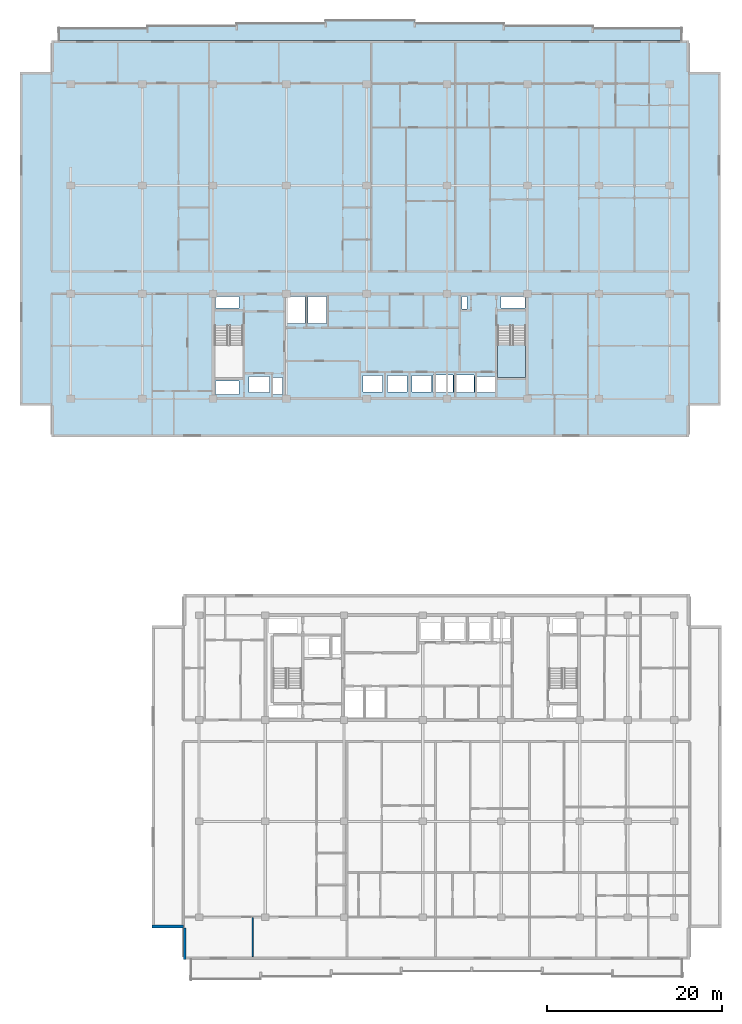
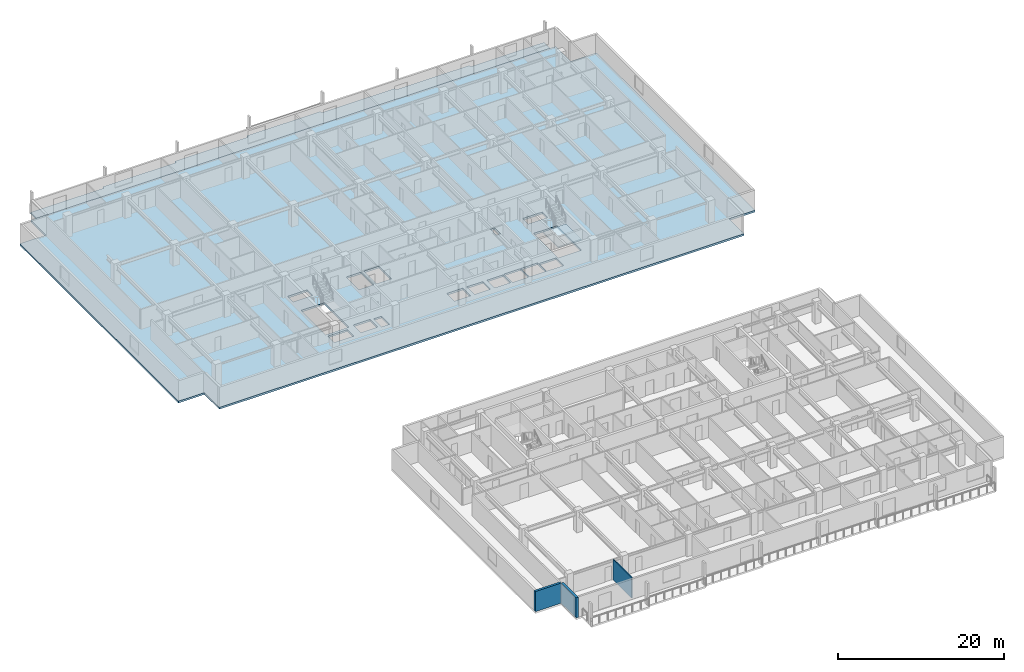
# One storey, part 3 of 21: 3 slabs, 3 walls, 1 element without a shape of its own.
"""IFC4 building model written with IfcOpenShell, lengths in metres."""

from ifc_helpers import new_model, si_unit, direction, frame, frame_2d, origin, place, context, subcontext, project, spatial, polyline, rectangle, outline, extrude, material, layer, layer_set, type_object, element, aggregate, save


model = new_model("IFC4")

# Units and contexts
model_context = context("Model", 3, precision=1e-05, world=origin(), true_north=direction((0.0, 1.0)))
body_context = subcontext(model_context, "Body", "Model", "MODEL_VIEW")
ifc_project = project(units=[si_unit("LENGTHUNIT", "METRE"), si_unit("AREAUNIT", "SQUARE_METRE"), si_unit("VOLUMEUNIT", "CUBIC_METRE"), si_unit("PLANEANGLEUNIT", "RADIAN"), si_unit("MASSUNIT", "GRAM", prefix="KILO")], contexts=[model_context])

# Site, building, storey
site_placement = place(None, origin())
site = spatial("IfcSite", under=ifc_project, at=site_placement, CompositionType="ELEMENT")
building_placement = place(site_placement, origin())
building = spatial("IfcBuilding", under=site, at=building_placement, Name="Korimba Cascade Residences", CompositionType="ELEMENT")
storey_placement = place(building_placement, frame((0.0, 0.0, 103.550048828125)))
storey = spatial("IfcBuildingStorey", under=building, at=storey_placement, Name="L29", CompositionType="ELEMENT", Elevation=103.550048828125)

# Stair, slab
ifc_material_1 = material(Name="Concrete C50/60", Category="concrete")
stair_type = type_object("IfcStairType", Name="STR-W2-18R-1806", PredefinedType="HALF_TURN_STAIR", material=ifc_material_1)
stair_placement = place(storey_placement, origin())
stair = element("IfcStair", 1, at=stair_placement, inside=storey, type_object=stair_type, Name="L29 Tower 1 East Fire Stair ST-W2", PredefinedType="HALF_TURN_STAIR")
ifc_layer_1 = layer(ifc_material_1, 0.199951171875)
ifc_layer_set_1 = layer_set([ifc_layer_1], Name="Concrete C50/60")
slab_type_1 = type_object("IfcSlabType", Name="SLB-LND-220", PredefinedType="LANDING", material=ifc_layer_set_1)
slab_1_placement = place(storey_placement, frame((0.0, 0.0, 1.425048828125)))
slab_1 = element("IfcSlab", 2, at=slab_1_placement, type_object=slab_type_1, Name="ST-W2 landing 1", PredefinedType="LANDING", context=body_context, shape_type="SweptSolid", body=[
    extrude(outline(polyline([(108.659912109375, 61.31005859375), (108.659912109375, 57.60009765625), (111.89990234375, 57.60009765625), (111.89990234375, 61.31005859375), (108.659912109375, 61.31005859375)])), origin(), (0.0, 0.0, 1.0), 0.199951171875),
])
aggregate(stair, [slab_1])

# Slabs
ifc_material_2 = material(Name="Precast concrete C40/50", Category="concrete")
ifc_layer_2 = layer(ifc_material_2, 0.239990234375)
ifc_layer_set_2 = layer_set([ifc_layer_2], Name="Precast concrete C40/50")
slab_type_2 = type_object("IfcSlabType", Name="SLB-LOG-240", PredefinedType="FLOOR", material=ifc_layer_set_2)
slab_2_placement = place(storey_placement, frame((0.0, 0.0, -0.239990234375)))
element("IfcSlab", 3, at=slab_2_placement, inside=storey, type_object=slab_type_2, Name="L29 Tower 1 North Loggia Slab", PredefinedType="FLOOR", context=body_context, shape_type="SweptSolid", body=[
    extrude(outline(polyline([(58.39990234375, 96.199951171875), (129.800048828125, 96.199951171875), (129.800048828125, 97.64990234375), (119.60009765625, 97.64990234375), (119.60009765625, 97.949951171875), (109.39990234375, 97.949951171875), (109.39990234375, 98.25), (99.199951171875, 98.25), (99.199951171875, 98.550048828125), (89.0, 98.550048828125), (89.0, 98.25), (78.800048828125, 98.25), (78.800048828125, 97.949951171875), (68.60009765625, 97.949951171875), (68.60009765625, 97.64990234375), (58.39990234375, 97.64990234375), (58.39990234375, 96.199951171875)])), origin(), (0.0, 0.0, 1.0), 0.239990234375),
])
ifc_layer_3 = layer(ifc_material_1, 0.280029296875)
ifc_layer_set_3 = layer_set([ifc_layer_3], Name="Concrete C50/60")
slab_type_3 = type_object("IfcSlabType", Name="SLB-TYP-280", PredefinedType="FLOOR", material=ifc_layer_set_3)
slab_3_placement = place(storey_placement, frame((0.0, 0.0, -0.280029296875)))
element("IfcSlab", 4, at=slab_3_placement, inside=storey, type_object=slab_type_3, Name="L29 Tower 1 Floor Slab", PredefinedType="FLOOR", context=body_context, shape_type="SweptSolid", body=[
    extrude(outline(polyline([(57.60009765625, 50.800048828125), (130.60009765625, 50.800048828125), (130.60009765625, 54.39990234375), (134.199951171875, 54.39990234375), (134.199951171875, 92.60009765625), (130.60009765625, 92.60009765625), (130.60009765625, 96.199951171875), (57.60009765625, 96.199951171875), (57.60009765625, 92.60009765625), (54.0, 92.60009765625), (54.0, 54.39990234375), (57.60009765625, 54.39990234375), (57.60009765625, 50.800048828125)]), holes=[polyline([(76.300048828125, 63.514892578125), (76.300048828125, 57.60009765625), (79.5400390625, 57.60009765625), (79.5400390625, 63.514892578125), (76.300048828125, 63.514892578125)]), polyline([(108.659912109375, 63.514892578125), (108.659912109375, 57.60009765625), (111.89990234375, 57.60009765625), (111.89990234375, 63.514892578125), (108.659912109375, 63.514892578125)]), polyline([(80.22998046875, 55.8798828125), (82.570068359375, 55.8798828125), (82.570068359375, 57.719970703125), (80.22998046875, 57.719970703125), (80.22998046875, 55.8798828125)]), polyline([(106.080078125, 55.8798828125), (108.419921875, 55.8798828125), (108.419921875, 57.719970703125), (106.080078125, 57.719970703125), (106.080078125, 55.8798828125)]), polyline([(93.280029296875, 55.97998046875), (95.52001953125, 55.97998046875), (95.52001953125, 57.820068359375), (93.280029296875, 57.820068359375), (93.280029296875, 55.97998046875)]), polyline([(96.080078125, 55.97998046875), (98.320068359375, 55.97998046875), (98.320068359375, 57.820068359375), (96.080078125, 57.820068359375), (96.080078125, 55.97998046875)]), polyline([(98.8798828125, 55.97998046875), (101.1201171875, 55.97998046875), (101.1201171875, 57.820068359375), (98.8798828125, 57.820068359375), (98.8798828125, 55.97998046875)]), polyline([(101.304931640625, 55.8798828125), (103.594970703125, 55.8798828125), (103.594970703125, 57.919921875), (101.304931640625, 57.919921875), (101.304931640625, 55.8798828125)]), polyline([(103.705078125, 55.8798828125), (105.9951171875, 55.8798828125), (105.9951171875, 57.919921875), (103.705078125, 57.919921875), (103.705078125, 55.8798828125)]), polyline([(82.97998046875, 55.679931640625), (84.080078125, 55.679931640625), (84.080078125, 57.6201171875), (82.97998046875, 57.6201171875), (82.97998046875, 55.679931640625)]), polyline([(76.39990234375, 65.56005859375), (79.10009765625, 65.56005859375), (79.10009765625, 66.8798828125), (76.39990234375, 66.8798828125), (76.39990234375, 65.56005859375)]), polyline([(76.39990234375, 55.679931640625), (79.10009765625, 55.679931640625), (79.10009765625, 57.239990234375), (76.39990234375, 57.239990234375), (76.39990234375, 55.679931640625)]), polyline([(84.530029296875, 63.820068359375), (86.6201171875, 63.820068359375), (86.6201171875, 66.8798828125), (84.530029296875, 66.8798828125), (84.530029296875, 63.820068359375)]), polyline([(86.97998046875, 63.820068359375), (89.070068359375, 63.820068359375), (89.070068359375, 66.8798828125), (86.97998046875, 66.8798828125), (86.97998046875, 63.820068359375)]), polyline([(104.6201171875, 65.4599609375), (105.179931640625, 65.4599609375), (105.179931640625, 66.8798828125), (104.6201171875, 66.8798828125), (104.6201171875, 65.4599609375)]), polyline([(109.080078125, 65.56005859375), (111.800048828125, 65.56005859375), (111.800048828125, 66.8798828125), (109.080078125, 66.8798828125), (109.080078125, 65.56005859375)])]), origin(), (0.0, 0.0, 1.0), 0.280029296875),
])

# Walls
ifc_layer_4 = layer(ifc_material_2, 0.300048828125)
ifc_layer_set_4 = layer_set([ifc_layer_4], Name="Precast concrete C40/50")
wall_type_1 = type_object("IfcWallType", Name="EW-STONE-300", PredefinedType="STANDARD", material=ifc_layer_set_4)
wall_1_placement = place(storey_placement, frame((69.10009765625, -5.25, 0.0), z_axis=(0.0, 0.0, 1.0), x_axis=(1.0, 0.0, 0.0)))
element("IfcWall", 5, at=wall_1_placement, inside=storey, type_object=wall_type_1, Name="L29 T2 Perimeter Stone Wall E10", PredefinedType="STANDARD", context=body_context, shape_type="SweptSolid", body=[
    extrude(rectangle(XDim=3.599853515625, YDim=0.300048828125, at=frame_2d((1.7998046875, 0.0))), origin(), (0.0, 0.0, 1.0), 2.969970703125),
])
wall_2_placement = place(storey_placement, frame((72.85009765625, -5.39990234375, 0.0), z_axis=(0.0, 0.0, 1.0), x_axis=(0.0, -1.0, 0.0)))
element("IfcWall", 6, at=wall_2_placement, inside=storey, type_object=wall_type_1, Name="L29 T2 Perimeter Stone Wall E11", PredefinedType="STANDARD", context=body_context, shape_type="SweptSolid", body=[
    extrude(rectangle(XDim=3.60009765625, YDim=0.300048828125, at=frame_2d((1.800048828125, 0.0))), origin(), (0.0, 0.0, 1.0), 2.969970703125),
])
ifc_material_3 = material(Name="Insulated Acoustic Stud Partition", Category="gypsum")
ifc_layer_5 = layer(ifc_material_3, 0.14990234375)
ifc_layer_set_5 = layer_set([ifc_layer_5], Name="Insulated Acoustic Stud Partition")
wall_type_2 = type_object("IfcWallType", Name="WAL-PART-150", PredefinedType="PARTITIONING", material=ifc_layer_set_5)
wall_3_placement = place(storey_placement, frame((80.655029296875, -8.699951171875, 0.0), z_axis=(0.0, 0.0, 1.0), x_axis=(0.0, 1.0, 0.0)))
element("IfcWall", 7, at=wall_3_placement, inside=storey, type_object=wall_type_2, Name="L29 Partition Wall WAL-L29-T2-U01-OUTV", PredefinedType="PARTITIONING", context=body_context, shape_type="SweptSolid", body=[
    extrude(rectangle(XDim=4.469970703125, YDim=0.14990234375, at=frame_2d((2.23486328125, 0.0))), origin(), (0.0, 0.0, 1.0), 2.969970703125),
])

save(model, "model.ifc")
